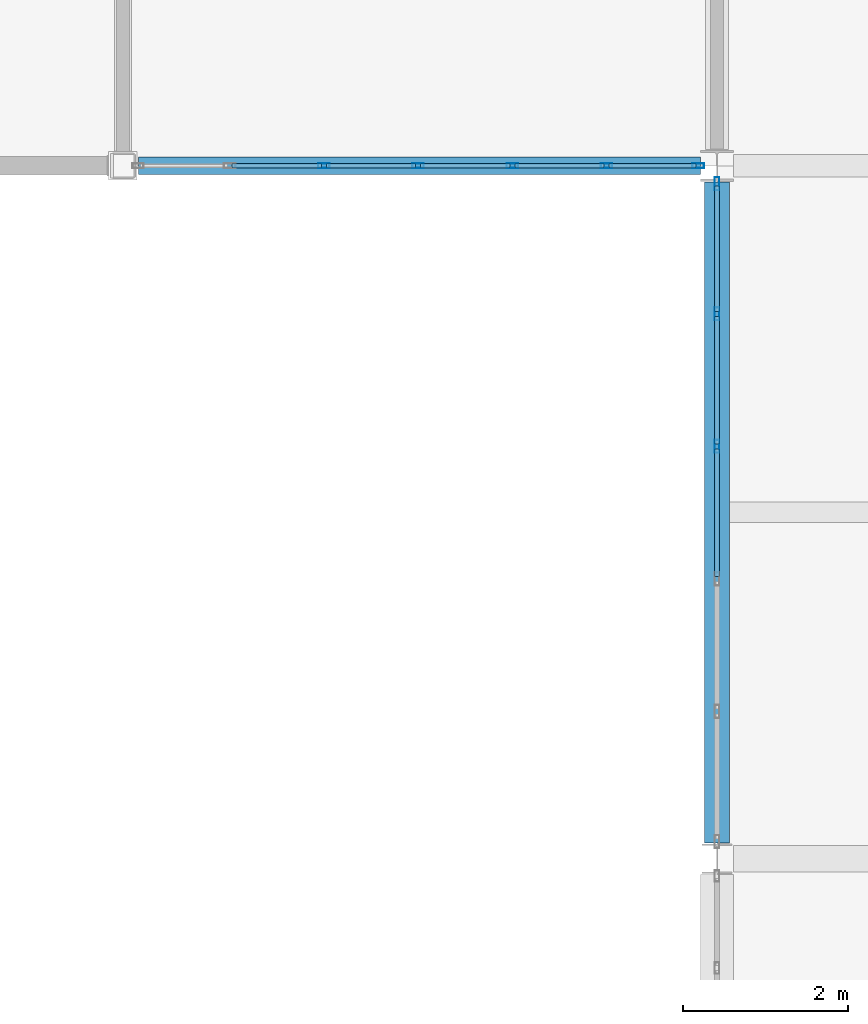
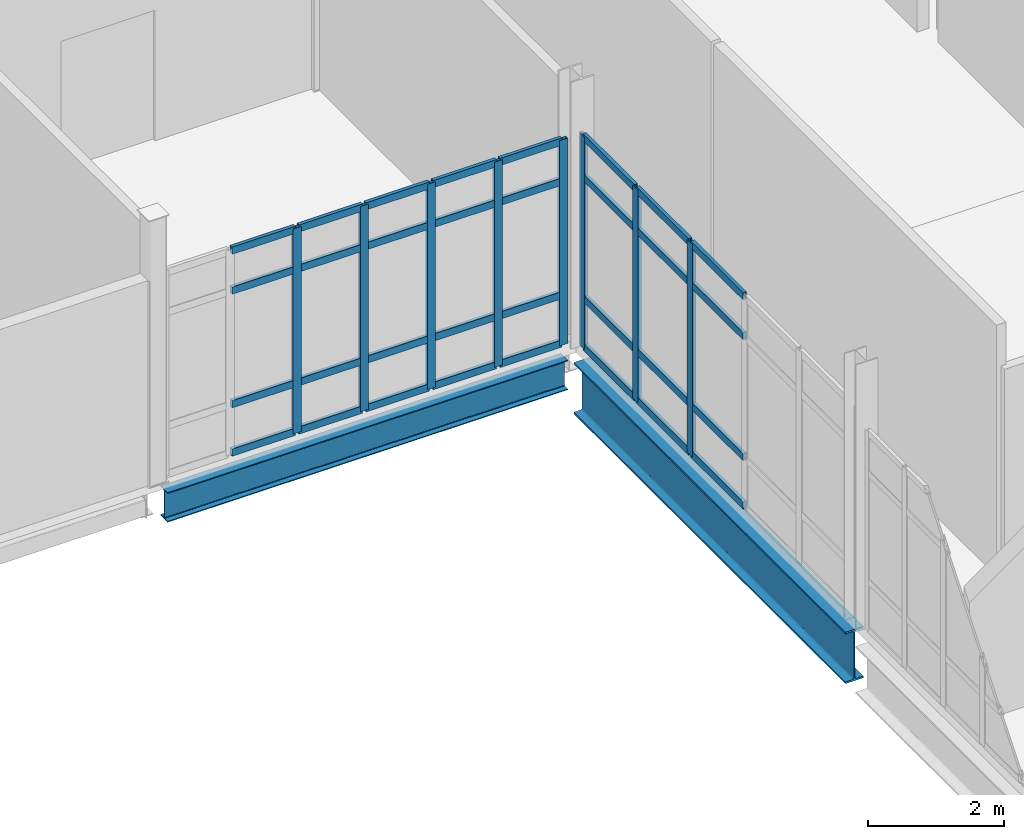
# One storey, part 31 of 186: 40 members, 2 beams, 2 elements without a shape of their own.
"""IFC4 building model written with IfcOpenShell, lengths in metres."""

from ifc_helpers import new_model, si_unit, direction, frame, origin, origin_2d, place, context, subcontext, project, spatial, hollow_rectangle, i_section, extrude, material, layer, layer_set, material_profile, profile_set, type_object, element, aggregate, save


model = new_model("IFC4")

# Units and contexts
model_context = context("Model", 3, precision=1e-05, world=origin(), true_north=direction((0.0, 1.0)))
body_context = subcontext(model_context, "Body", "Model", "MODEL_VIEW")
ifc_project = project(units=[si_unit("LENGTHUNIT", "METRE"), si_unit("AREAUNIT", "SQUARE_METRE"), si_unit("VOLUMEUNIT", "CUBIC_METRE"), si_unit("PLANEANGLEUNIT", "RADIAN"), si_unit("MASSUNIT", "GRAM", prefix="KILO")], contexts=[model_context])

# Site, building, storey
site_placement = place(None, origin())
site = spatial("IfcSite", under=ifc_project, at=site_placement, CompositionType="ELEMENT")
building_placement = place(site_placement, origin())
building = spatial("IfcBuilding", under=site, at=building_placement, Name="Calvrana Isthmian Art Gallery", CompositionType="ELEMENT")
storey_placement = place(building_placement, frame((0.0, 0.0, 5.39990234375)))
storey = spatial("IfcBuildingStorey", under=building, at=storey_placement, Name="L01", CompositionType="ELEMENT", Elevation=5.39990234375)

# Beams
ifc_material_1 = material(Name="Steel ASTM A992 Gr 50", Category="steel")
ifc_material_profile_1 = material_profile(ifc_material_1, i_section(OverallWidth=0.208984375, OverallDepth=0.532958984375, WebThickness=0.01025390625, FlangeThickness=0.015625, FilletRadius=0.02099609375, at=origin_2d()), Name="W21X62")
ifc_profile_set_1 = profile_set([ifc_material_profile_1], Name="Steel ASTM A992 Gr 50")
beam_type_1 = type_object("IfcBeamType", Name="BM-G-W21X62", PredefinedType="BEAM", material=ifc_profile_set_1)
beam_1_placement = place(storey_placement, frame((14.58544921875, 46.800048828125, -0.511474609375), z_axis=(1.0, 0.0, 0.0), x_axis=(0.0, 1.0, 0.0)))
element("IfcBeam", 1, at=beam_1_placement, inside=storey, type_object=beam_type_1, Name="Girder X L01 03-04/G", PredefinedType="BEAM", context=body_context, shape_type="SweptSolid", body=[
    extrude(i_section(OverallWidth=0.208984375, OverallDepth=0.532958984375, WebThickness=0.01025390625, FlangeThickness=0.015625, FilletRadius=0.02099609375, at=origin_2d()), origin(), (0.0, 0.0, 1.0), 6.81494140625),
])
ifc_material_profile_2 = material_profile(ifc_material_1, i_section(OverallWidth=0.306884765625, OverallDepth=0.927001953125, WebThickness=0.019287109375, FlangeThickness=0.031982421875, FilletRadius=0.028076171875, at=origin_2d()), Name="W36X194")
ifc_profile_set_2 = profile_set([ifc_material_profile_2], Name="Steel ASTM A992 Gr 50")
beam_type_2 = type_object("IfcBeamType", Name="BM-G-W36X194", PredefinedType="BEAM", material=ifc_profile_set_2)
beam_2_placement = place(storey_placement, frame((21.60009765625, 38.593017578125, -0.70849609375), z_axis=(0.0, 1.0, 0.0), x_axis=(-1.0, 0.0, 0.0)))
element("IfcBeam", 2, at=beam_2_placement, inside=storey, type_object=beam_type_2, Name="Girder Y L01 04/F-G", PredefinedType="BEAM", context=body_context, shape_type="SweptSolid", body=[
    extrude(i_section(OverallWidth=0.306884765625, OverallDepth=0.927001953125, WebThickness=0.019287109375, FlangeThickness=0.031982421875, FilletRadius=0.028076171875, at=origin_2d()), origin(), (0.0, 0.0, 1.0), 8.010009765625),
])

# Curtain wall, members
ifc_material_2 = material(Name="Anodized bronze aluminium 6063-T6", Category="aluminium")
ifc_layer_1 = layer(ifc_material_2, 0.179931640625, Name="Anodized bronze aluminium 6063-T6")
ifc_layer_set_1 = layer_set([ifc_layer_1], Name="Anodized bronze aluminium 6063-T6")
curtain_wall_type_1 = type_object("IfcCurtainWallType", Name="CW-UNIT-069X37", PredefinedType="USERDEFINED", material=ifc_layer_set_1)
curtain_wall_1_placement = place(storey_placement, origin())
curtain_wall_1 = element("IfcCurtainWall", 3, at=curtain_wall_1_placement, inside=storey, type_object=curtain_wall_type_1, Name="Curtain wall CW-096", ObjectType="UNITISED CURTAIN WALL", PredefinedType="USERDEFINED")
ifc_material_profile_3 = material_profile(ifc_material_2, hollow_rectangle(XDim=0.06005859375, YDim=0.139892578125, WallThickness=0.00390625, at=origin_2d()), Name="CWM60X140")
ifc_profile_set_3 = profile_set([ifc_material_profile_3], Name="Anodized bronze aluminium 6063-T6")
member_type_1 = type_object("IfcMemberType", Name="CWM-CWM60X140", PredefinedType="MULLION", material=ifc_profile_set_3)
member_1_placement = place(storey_placement, frame((21.373046875, 46.800048828125, 0.0), z_axis=(0.0, 0.0, 1.0), x_axis=(0.0, -1.0, 0.0)))
member_1 = element("IfcMember", 4, at=member_1_placement, type_object=member_type_1, Name="CW-096 mullion 1", PredefinedType="MULLION", context=body_context, shape_type="SweptSolid", body=[
    extrude(hollow_rectangle(XDim=0.06005859375, YDim=0.139892578125, WallThickness=0.00390625, at=origin_2d()), origin(), (0.0, 0.0, 1.0), 3.695068359375),
])
member_2_placement = place(storey_placement, frame((20.26123046875, 46.800048828125, 0.0), z_axis=(0.0, 0.0, 1.0), x_axis=(0.0, -1.0, 0.0)))
member_2 = element("IfcMember", 5, at=member_2_placement, type_object=member_type_1, Name="CW-096 mullion 2", PredefinedType="MULLION", context=body_context, shape_type="SweptSolid", body=[
    extrude(hollow_rectangle(XDim=0.06005859375, YDim=0.139892578125, WallThickness=0.00390625, at=origin_2d()), origin(), (0.0, 0.0, 1.0), 3.695068359375),
])
member_3_placement = place(storey_placement, frame((19.119384765625, 46.800048828125, 0.0), z_axis=(0.0, 0.0, 1.0), x_axis=(0.0, -1.0, 0.0)))
member_3 = element("IfcMember", 6, at=member_3_placement, type_object=member_type_1, Name="CW-096 mullion 3", PredefinedType="MULLION", context=body_context, shape_type="SweptSolid", body=[
    extrude(hollow_rectangle(XDim=0.06005859375, YDim=0.139892578125, WallThickness=0.00390625, at=origin_2d()), origin(), (0.0, 0.0, 1.0), 3.695068359375),
])
member_4_placement = place(storey_placement, frame((17.977783203125, 46.800048828125, 0.0), z_axis=(0.0, 0.0, 1.0), x_axis=(0.0, -1.0, 0.0)))
member_4 = element("IfcMember", 7, at=member_4_placement, type_object=member_type_1, Name="CW-096 mullion 4", PredefinedType="MULLION", context=body_context, shape_type="SweptSolid", body=[
    extrude(hollow_rectangle(XDim=0.06005859375, YDim=0.139892578125, WallThickness=0.00390625, at=origin_2d()), origin(), (0.0, 0.0, 1.0), 3.695068359375),
])
member_5_placement = place(storey_placement, frame((16.8359375, 46.800048828125, 0.0), z_axis=(0.0, 0.0, 1.0), x_axis=(0.0, -1.0, 0.0)))
member_5 = element("IfcMember", 8, at=member_5_placement, type_object=member_type_1, Name="CW-096 mullion 5", PredefinedType="MULLION", context=body_context, shape_type="SweptSolid", body=[
    extrude(hollow_rectangle(XDim=0.06005859375, YDim=0.139892578125, WallThickness=0.00390625, at=origin_2d()), origin(), (0.0, 0.0, 1.0), 3.695068359375),
])

ifc_layer_2 = layer(ifc_material_2, 0.179931640625, Name="Anodized bronze aluminium 6063-T6")
ifc_layer_set_2 = layer_set([ifc_layer_2], Name="Anodized bronze aluminium 6063-T6")
curtain_wall_type_2 = type_object("IfcCurtainWallType", Name="CW-UNIT-080X38", PredefinedType="USERDEFINED", material=ifc_layer_set_2)
curtain_wall_2_placement = place(storey_placement, origin())
curtain_wall_2 = element("IfcCurtainWall", 9, at=curtain_wall_2_placement, inside=storey, type_object=curtain_wall_type_2, Name="Curtain wall CW-121", ObjectType="UNITISED CURTAIN WALL", PredefinedType="USERDEFINED")
ifc_material_profile_4 = material_profile(ifc_material_2, hollow_rectangle(XDim=0.06005859375, YDim=0.159912109375, WallThickness=0.00390625, at=origin_2d()), Name="CWM60X160")
ifc_profile_set_4 = profile_set([ifc_material_profile_4], Name="Anodized bronze aluminium 6063-T6")
member_type_2 = type_object("IfcMemberType", Name="CWM-CWM60X160", PredefinedType="MULLION", material=ifc_profile_set_4)
member_6_placement = place(storey_placement, frame((21.60009765625, 43.3984375, 0.0), z_axis=(0.0, 0.0, 1.0), x_axis=(-1.0, 0.0, 0.0)))
member_6 = element("IfcMember", 10, at=member_6_placement, type_object=member_type_2, Name="CW-121 mullion 4", PredefinedType="MULLION", context=body_context, shape_type="SweptSolid", body=[
    extrude(hollow_rectangle(XDim=0.06005859375, YDim=0.159912109375, WallThickness=0.00390625, at=origin_2d()), origin(), (0.0, 0.0, 1.0), 3.8271484375),
])
member_7_placement = place(storey_placement, frame((21.60009765625, 45.005126953125, 0.0), z_axis=(0.0, 0.0, 1.0), x_axis=(-1.0, 0.0, 0.0)))
member_7 = element("IfcMember", 11, at=member_7_placement, type_object=member_type_2, Name="CW-121 mullion 5", PredefinedType="MULLION", context=body_context, shape_type="SweptSolid", body=[
    extrude(hollow_rectangle(XDim=0.06005859375, YDim=0.159912109375, WallThickness=0.00390625, at=origin_2d()), origin(), (0.0, 0.0, 1.0), 3.8271484375),
])
member_8_placement = place(storey_placement, frame((21.60009765625, 46.58203125, 0.0), z_axis=(0.0, 0.0, 1.0), x_axis=(-1.0, 0.0, 0.0)))
member_8 = element("IfcMember", 12, at=member_8_placement, type_object=member_type_2, Name="CW-121 mullion 6", PredefinedType="MULLION", context=body_context, shape_type="SweptSolid", body=[
    extrude(hollow_rectangle(XDim=0.06005859375, YDim=0.159912109375, WallThickness=0.00390625, at=origin_2d()), origin(), (0.0, 0.0, 1.0), 3.8271484375),
])

# Member
ifc_material_profile_5 = material_profile(ifc_material_2, hollow_rectangle(XDim=0.06005859375, YDim=0.1298828125, WallThickness=0.00390625, at=origin_2d()), Name="CWT60X130")
ifc_profile_set_5 = profile_set([ifc_material_profile_5], Name="Anodized bronze aluminium 6063-T6")
member_type_3 = type_object("IfcMemberType", Name="CWT-CWT60X130", PredefinedType="USERDEFINED", material=ifc_profile_set_5)
member_9_placement = place(storey_placement, frame((21.343017578125, 46.800048828125, 0.030029296875), z_axis=(-1.0, 0.0, 0.0), x_axis=(0.0, -1.0, 0.0)))
member_9 = element("IfcMember", 13, at=member_9_placement, type_object=member_type_3, Name="CW-096 transom 1.1", ObjectType="TRANSOM", PredefinedType="USERDEFINED", context=body_context, shape_type="SweptSolid", body=[
    extrude(hollow_rectangle(XDim=0.06005859375, YDim=0.1298828125, WallThickness=0.00390625, at=origin_2d()), origin(), (0.0, 0.0, 1.0), 1.0517578125),
])

member_10_placement = place(storey_placement, frame((21.343017578125, 46.800048828125, 0.900146484375), z_axis=(-1.0, 0.0, 0.0), x_axis=(0.0, -1.0, 0.0)))
member_10 = element("IfcMember", 14, at=member_10_placement, type_object=member_type_3, Name="CW-096 transom 1.2", ObjectType="TRANSOM", PredefinedType="USERDEFINED", context=body_context, shape_type="SweptSolid", body=[
    extrude(hollow_rectangle(XDim=0.06005859375, YDim=0.1298828125, WallThickness=0.00390625, at=origin_2d()), origin(), (0.0, 0.0, 1.0), 1.0517578125),
])

member_11_placement = place(storey_placement, frame((21.343017578125, 46.800048828125, 2.945068359375), z_axis=(-1.0, 0.0, 0.0), x_axis=(0.0, -1.0, 0.0)))
member_11 = element("IfcMember", 15, at=member_11_placement, type_object=member_type_3, Name="CW-096 transom 1.3", ObjectType="TRANSOM", PredefinedType="USERDEFINED", context=body_context, shape_type="SweptSolid", body=[
    extrude(hollow_rectangle(XDim=0.06005859375, YDim=0.1298828125, WallThickness=0.00390625, at=origin_2d()), origin(), (0.0, 0.0, 1.0), 1.0517578125),
])

member_12_placement = place(storey_placement, frame((21.343017578125, 46.800048828125, 3.6650390625), z_axis=(-1.0, 0.0, 0.0), x_axis=(0.0, -1.0, 0.0)))
member_12 = element("IfcMember", 16, at=member_12_placement, type_object=member_type_3, Name="CW-096 transom 1.4", ObjectType="TRANSOM", PredefinedType="USERDEFINED", context=body_context, shape_type="SweptSolid", body=[
    extrude(hollow_rectangle(XDim=0.06005859375, YDim=0.1298828125, WallThickness=0.00390625, at=origin_2d()), origin(), (0.0, 0.0, 1.0), 1.0517578125),
])

member_13_placement = place(storey_placement, frame((20.231201171875, 46.800048828125, 0.030029296875), z_axis=(-1.0, 0.0, 0.0), x_axis=(0.0, -1.0, 0.0)))
member_13 = element("IfcMember", 17, at=member_13_placement, type_object=member_type_3, Name="CW-096 transom 2.1", ObjectType="TRANSOM", PredefinedType="USERDEFINED", context=body_context, shape_type="SweptSolid", body=[
    extrude(hollow_rectangle(XDim=0.06005859375, YDim=0.1298828125, WallThickness=0.00390625, at=origin_2d()), origin(), (0.0, 0.0, 1.0), 1.081787109375),
])

member_14_placement = place(storey_placement, frame((20.231201171875, 46.800048828125, 0.900146484375), z_axis=(-1.0, 0.0, 0.0), x_axis=(0.0, -1.0, 0.0)))
member_14 = element("IfcMember", 18, at=member_14_placement, type_object=member_type_3, Name="CW-096 transom 2.2", ObjectType="TRANSOM", PredefinedType="USERDEFINED", context=body_context, shape_type="SweptSolid", body=[
    extrude(hollow_rectangle(XDim=0.06005859375, YDim=0.1298828125, WallThickness=0.00390625, at=origin_2d()), origin(), (0.0, 0.0, 1.0), 1.081787109375),
])

member_15_placement = place(storey_placement, frame((20.231201171875, 46.800048828125, 2.945068359375), z_axis=(-1.0, 0.0, 0.0), x_axis=(0.0, -1.0, 0.0)))
member_15 = element("IfcMember", 19, at=member_15_placement, type_object=member_type_3, Name="CW-096 transom 2.3", ObjectType="TRANSOM", PredefinedType="USERDEFINED", context=body_context, shape_type="SweptSolid", body=[
    extrude(hollow_rectangle(XDim=0.06005859375, YDim=0.1298828125, WallThickness=0.00390625, at=origin_2d()), origin(), (0.0, 0.0, 1.0), 1.081787109375),
])

member_16_placement = place(storey_placement, frame((20.231201171875, 46.800048828125, 3.6650390625), z_axis=(-1.0, 0.0, 0.0), x_axis=(0.0, -1.0, 0.0)))
member_16 = element("IfcMember", 20, at=member_16_placement, type_object=member_type_3, Name="CW-096 transom 2.4", ObjectType="TRANSOM", PredefinedType="USERDEFINED", context=body_context, shape_type="SweptSolid", body=[
    extrude(hollow_rectangle(XDim=0.06005859375, YDim=0.1298828125, WallThickness=0.00390625, at=origin_2d()), origin(), (0.0, 0.0, 1.0), 1.081787109375),
])

member_17_placement = place(storey_placement, frame((19.08935546875, 46.800048828125, 0.030029296875), z_axis=(-1.0, 0.0, 0.0), x_axis=(0.0, -1.0, 0.0)))
member_17 = element("IfcMember", 21, at=member_17_placement, type_object=member_type_3, Name="CW-096 transom 3.1", ObjectType="TRANSOM", PredefinedType="USERDEFINED", context=body_context, shape_type="SweptSolid", body=[
    extrude(hollow_rectangle(XDim=0.06005859375, YDim=0.1298828125, WallThickness=0.00390625, at=origin_2d()), origin(), (0.0, 0.0, 1.0), 1.08154296875),
])

member_18_placement = place(storey_placement, frame((19.08935546875, 46.800048828125, 0.900146484375), z_axis=(-1.0, 0.0, 0.0), x_axis=(0.0, -1.0, 0.0)))
member_18 = element("IfcMember", 22, at=member_18_placement, type_object=member_type_3, Name="CW-096 transom 3.2", ObjectType="TRANSOM", PredefinedType="USERDEFINED", context=body_context, shape_type="SweptSolid", body=[
    extrude(hollow_rectangle(XDim=0.06005859375, YDim=0.1298828125, WallThickness=0.00390625, at=origin_2d()), origin(), (0.0, 0.0, 1.0), 1.08154296875),
])

member_19_placement = place(storey_placement, frame((19.08935546875, 46.800048828125, 2.945068359375), z_axis=(-1.0, 0.0, 0.0), x_axis=(0.0, -1.0, 0.0)))
member_19 = element("IfcMember", 23, at=member_19_placement, type_object=member_type_3, Name="CW-096 transom 3.3", ObjectType="TRANSOM", PredefinedType="USERDEFINED", context=body_context, shape_type="SweptSolid", body=[
    extrude(hollow_rectangle(XDim=0.06005859375, YDim=0.1298828125, WallThickness=0.00390625, at=origin_2d()), origin(), (0.0, 0.0, 1.0), 1.08154296875),
])

member_20_placement = place(storey_placement, frame((19.08935546875, 46.800048828125, 3.6650390625), z_axis=(-1.0, 0.0, 0.0), x_axis=(0.0, -1.0, 0.0)))
member_20 = element("IfcMember", 24, at=member_20_placement, type_object=member_type_3, Name="CW-096 transom 3.4", ObjectType="TRANSOM", PredefinedType="USERDEFINED", context=body_context, shape_type="SweptSolid", body=[
    extrude(hollow_rectangle(XDim=0.06005859375, YDim=0.1298828125, WallThickness=0.00390625, at=origin_2d()), origin(), (0.0, 0.0, 1.0), 1.08154296875),
])

member_21_placement = place(storey_placement, frame((17.94775390625, 46.800048828125, 0.030029296875), z_axis=(-1.0, 0.0, 0.0), x_axis=(0.0, -1.0, 0.0)))
member_21 = element("IfcMember", 25, at=member_21_placement, type_object=member_type_3, Name="CW-096 transom 4.1", ObjectType="TRANSOM", PredefinedType="USERDEFINED", context=body_context, shape_type="SweptSolid", body=[
    extrude(hollow_rectangle(XDim=0.06005859375, YDim=0.1298828125, WallThickness=0.00390625, at=origin_2d()), origin(), (0.0, 0.0, 1.0), 1.081787109375),
])

member_22_placement = place(storey_placement, frame((17.94775390625, 46.800048828125, 0.900146484375), z_axis=(-1.0, 0.0, 0.0), x_axis=(0.0, -1.0, 0.0)))
member_22 = element("IfcMember", 26, at=member_22_placement, type_object=member_type_3, Name="CW-096 transom 4.2", ObjectType="TRANSOM", PredefinedType="USERDEFINED", context=body_context, shape_type="SweptSolid", body=[
    extrude(hollow_rectangle(XDim=0.06005859375, YDim=0.1298828125, WallThickness=0.00390625, at=origin_2d()), origin(), (0.0, 0.0, 1.0), 1.081787109375),
])

member_23_placement = place(storey_placement, frame((17.94775390625, 46.800048828125, 2.945068359375), z_axis=(-1.0, 0.0, 0.0), x_axis=(0.0, -1.0, 0.0)))
member_23 = element("IfcMember", 27, at=member_23_placement, type_object=member_type_3, Name="CW-096 transom 4.3", ObjectType="TRANSOM", PredefinedType="USERDEFINED", context=body_context, shape_type="SweptSolid", body=[
    extrude(hollow_rectangle(XDim=0.06005859375, YDim=0.1298828125, WallThickness=0.00390625, at=origin_2d()), origin(), (0.0, 0.0, 1.0), 1.081787109375),
])

member_24_placement = place(storey_placement, frame((17.94775390625, 46.800048828125, 3.6650390625), z_axis=(-1.0, 0.0, 0.0), x_axis=(0.0, -1.0, 0.0)))
member_24 = element("IfcMember", 28, at=member_24_placement, type_object=member_type_3, Name="CW-096 transom 4.4", ObjectType="TRANSOM", PredefinedType="USERDEFINED", context=body_context, shape_type="SweptSolid", body=[
    extrude(hollow_rectangle(XDim=0.06005859375, YDim=0.1298828125, WallThickness=0.00390625, at=origin_2d()), origin(), (0.0, 0.0, 1.0), 1.081787109375),
])

member_25_placement = place(storey_placement, frame((16.805908203125, 46.800048828125, 0.030029296875), z_axis=(-1.0, 0.0, 0.0), x_axis=(0.0, -1.0, 0.0)))
member_25 = element("IfcMember", 29, at=member_25_placement, type_object=member_type_3, Name="CW-096 transom 5.1", ObjectType="TRANSOM", PredefinedType="USERDEFINED", context=body_context, shape_type="SweptSolid", body=[
    extrude(hollow_rectangle(XDim=0.06005859375, YDim=0.1298828125, WallThickness=0.00390625, at=origin_2d()), origin(), (0.0, 0.0, 1.0), 1.081787109375),
])

member_26_placement = place(storey_placement, frame((16.805908203125, 46.800048828125, 0.900146484375), z_axis=(-1.0, 0.0, 0.0), x_axis=(0.0, -1.0, 0.0)))
member_26 = element("IfcMember", 30, at=member_26_placement, type_object=member_type_3, Name="CW-096 transom 5.2", ObjectType="TRANSOM", PredefinedType="USERDEFINED", context=body_context, shape_type="SweptSolid", body=[
    extrude(hollow_rectangle(XDim=0.06005859375, YDim=0.1298828125, WallThickness=0.00390625, at=origin_2d()), origin(), (0.0, 0.0, 1.0), 1.081787109375),
])

member_27_placement = place(storey_placement, frame((16.805908203125, 46.800048828125, 2.945068359375), z_axis=(-1.0, 0.0, 0.0), x_axis=(0.0, -1.0, 0.0)))
member_27 = element("IfcMember", 31, at=member_27_placement, type_object=member_type_3, Name="CW-096 transom 5.3", ObjectType="TRANSOM", PredefinedType="USERDEFINED", context=body_context, shape_type="SweptSolid", body=[
    extrude(hollow_rectangle(XDim=0.06005859375, YDim=0.1298828125, WallThickness=0.00390625, at=origin_2d()), origin(), (0.0, 0.0, 1.0), 1.081787109375),
])

member_28_placement = place(storey_placement, frame((16.805908203125, 46.800048828125, 3.6650390625), z_axis=(-1.0, 0.0, 0.0), x_axis=(0.0, -1.0, 0.0)))
member_28 = element("IfcMember", 32, at=member_28_placement, type_object=member_type_3, Name="CW-096 transom 5.4", ObjectType="TRANSOM", PredefinedType="USERDEFINED", context=body_context, shape_type="SweptSolid", body=[
    extrude(hollow_rectangle(XDim=0.06005859375, YDim=0.1298828125, WallThickness=0.00390625, at=origin_2d()), origin(), (0.0, 0.0, 1.0), 1.081787109375),
])

aggregate(curtain_wall_1, [member_1, member_2, member_3, member_4, member_5, member_9, member_10, member_11, member_12, member_13, member_14, member_15, member_16, member_17, member_18, member_19, member_20, member_21, member_22, member_23, member_24, member_25, member_26, member_27, member_28])

member_29_placement = place(storey_placement, frame((21.60009765625, 41.821533203125, 0.030029296875), z_axis=(0.0, 1.0, 0.0), x_axis=(-1.0, 0.0, 0.0)))
member_29 = element("IfcMember", 33, at=member_29_placement, type_object=member_type_3, Name="CW-121 transom 3.1", ObjectType="TRANSOM", PredefinedType="USERDEFINED", context=body_context, shape_type="SweptSolid", body=[
    extrude(hollow_rectangle(XDim=0.06005859375, YDim=0.1298828125, WallThickness=0.00390625, at=origin_2d()), origin(), (0.0, 0.0, 1.0), 1.546875),
])

member_30_placement = place(storey_placement, frame((21.60009765625, 41.821533203125, 0.900146484375), z_axis=(0.0, 1.0, 0.0), x_axis=(-1.0, 0.0, 0.0)))
member_30 = element("IfcMember", 34, at=member_30_placement, type_object=member_type_3, Name="CW-121 transom 3.2", ObjectType="TRANSOM", PredefinedType="USERDEFINED", context=body_context, shape_type="SweptSolid", body=[
    extrude(hollow_rectangle(XDim=0.06005859375, YDim=0.1298828125, WallThickness=0.00390625, at=origin_2d()), origin(), (0.0, 0.0, 1.0), 1.546875),
])

member_31_placement = place(storey_placement, frame((21.60009765625, 41.821533203125, 3.0771484375), z_axis=(0.0, 1.0, 0.0), x_axis=(-1.0, 0.0, 0.0)))
member_31 = element("IfcMember", 35, at=member_31_placement, type_object=member_type_3, Name="CW-121 transom 3.3", ObjectType="TRANSOM", PredefinedType="USERDEFINED", context=body_context, shape_type="SweptSolid", body=[
    extrude(hollow_rectangle(XDim=0.06005859375, YDim=0.1298828125, WallThickness=0.00390625, at=origin_2d()), origin(), (0.0, 0.0, 1.0), 1.546875),
])

member_32_placement = place(storey_placement, frame((21.60009765625, 41.821533203125, 3.797119140625), z_axis=(0.0, 1.0, 0.0), x_axis=(-1.0, 0.0, 0.0)))
member_32 = element("IfcMember", 36, at=member_32_placement, type_object=member_type_3, Name="CW-121 transom 3.4", ObjectType="TRANSOM", PredefinedType="USERDEFINED", context=body_context, shape_type="SweptSolid", body=[
    extrude(hollow_rectangle(XDim=0.06005859375, YDim=0.1298828125, WallThickness=0.00390625, at=origin_2d()), origin(), (0.0, 0.0, 1.0), 1.546875),
])

member_33_placement = place(storey_placement, frame((21.60009765625, 43.428466796875, 0.030029296875), z_axis=(0.0, 1.0, 0.0), x_axis=(-1.0, 0.0, 0.0)))
member_33 = element("IfcMember", 37, at=member_33_placement, type_object=member_type_3, Name="CW-121 transom 4.1", ObjectType="TRANSOM", PredefinedType="USERDEFINED", context=body_context, shape_type="SweptSolid", body=[
    extrude(hollow_rectangle(XDim=0.06005859375, YDim=0.1298828125, WallThickness=0.00390625, at=origin_2d()), origin(), (0.0, 0.0, 1.0), 1.546630859375),
])

member_34_placement = place(storey_placement, frame((21.60009765625, 43.428466796875, 0.900146484375), z_axis=(0.0, 1.0, 0.0), x_axis=(-1.0, 0.0, 0.0)))
member_34 = element("IfcMember", 38, at=member_34_placement, type_object=member_type_3, Name="CW-121 transom 4.2", ObjectType="TRANSOM", PredefinedType="USERDEFINED", context=body_context, shape_type="SweptSolid", body=[
    extrude(hollow_rectangle(XDim=0.06005859375, YDim=0.1298828125, WallThickness=0.00390625, at=origin_2d()), origin(), (0.0, 0.0, 1.0), 1.546630859375),
])

member_35_placement = place(storey_placement, frame((21.60009765625, 43.428466796875, 3.0771484375), z_axis=(0.0, 1.0, 0.0), x_axis=(-1.0, 0.0, 0.0)))
member_35 = element("IfcMember", 39, at=member_35_placement, type_object=member_type_3, Name="CW-121 transom 4.3", ObjectType="TRANSOM", PredefinedType="USERDEFINED", context=body_context, shape_type="SweptSolid", body=[
    extrude(hollow_rectangle(XDim=0.06005859375, YDim=0.1298828125, WallThickness=0.00390625, at=origin_2d()), origin(), (0.0, 0.0, 1.0), 1.546630859375),
])

member_36_placement = place(storey_placement, frame((21.60009765625, 43.428466796875, 3.797119140625), z_axis=(0.0, 1.0, 0.0), x_axis=(-1.0, 0.0, 0.0)))
member_36 = element("IfcMember", 40, at=member_36_placement, type_object=member_type_3, Name="CW-121 transom 4.4", ObjectType="TRANSOM", PredefinedType="USERDEFINED", context=body_context, shape_type="SweptSolid", body=[
    extrude(hollow_rectangle(XDim=0.06005859375, YDim=0.1298828125, WallThickness=0.00390625, at=origin_2d()), origin(), (0.0, 0.0, 1.0), 1.546630859375),
])

member_37_placement = place(storey_placement, frame((21.60009765625, 45.03515625, 0.030029296875), z_axis=(0.0, 1.0, 0.0), x_axis=(-1.0, 0.0, 0.0)))
member_37 = element("IfcMember", 41, at=member_37_placement, type_object=member_type_3, Name="CW-121 transom 5.1", ObjectType="TRANSOM", PredefinedType="USERDEFINED", context=body_context, shape_type="SweptSolid", body=[
    extrude(hollow_rectangle(XDim=0.06005859375, YDim=0.1298828125, WallThickness=0.00390625, at=origin_2d()), origin(), (0.0, 0.0, 1.0), 1.516845703125),
])

member_38_placement = place(storey_placement, frame((21.60009765625, 45.03515625, 0.900146484375), z_axis=(0.0, 1.0, 0.0), x_axis=(-1.0, 0.0, 0.0)))
member_38 = element("IfcMember", 42, at=member_38_placement, type_object=member_type_3, Name="CW-121 transom 5.2", ObjectType="TRANSOM", PredefinedType="USERDEFINED", context=body_context, shape_type="SweptSolid", body=[
    extrude(hollow_rectangle(XDim=0.06005859375, YDim=0.1298828125, WallThickness=0.00390625, at=origin_2d()), origin(), (0.0, 0.0, 1.0), 1.516845703125),
])

member_39_placement = place(storey_placement, frame((21.60009765625, 45.03515625, 3.0771484375), z_axis=(0.0, 1.0, 0.0), x_axis=(-1.0, 0.0, 0.0)))
member_39 = element("IfcMember", 43, at=member_39_placement, type_object=member_type_3, Name="CW-121 transom 5.3", ObjectType="TRANSOM", PredefinedType="USERDEFINED", context=body_context, shape_type="SweptSolid", body=[
    extrude(hollow_rectangle(XDim=0.06005859375, YDim=0.1298828125, WallThickness=0.00390625, at=origin_2d()), origin(), (0.0, 0.0, 1.0), 1.516845703125),
])

member_40_placement = place(storey_placement, frame((21.60009765625, 45.03515625, 3.797119140625), z_axis=(0.0, 1.0, 0.0), x_axis=(-1.0, 0.0, 0.0)))
member_40 = element("IfcMember", 44, at=member_40_placement, type_object=member_type_3, Name="CW-121 transom 5.4", ObjectType="TRANSOM", PredefinedType="USERDEFINED", context=body_context, shape_type="SweptSolid", body=[
    extrude(hollow_rectangle(XDim=0.06005859375, YDim=0.1298828125, WallThickness=0.00390625, at=origin_2d()), origin(), (0.0, 0.0, 1.0), 1.516845703125),
])

aggregate(curtain_wall_2, [member_6, member_7, member_8, member_29, member_30, member_31, member_32, member_33, member_34, member_35, member_36, member_37, member_38, member_39, member_40])

save(model, "model.ifc")
